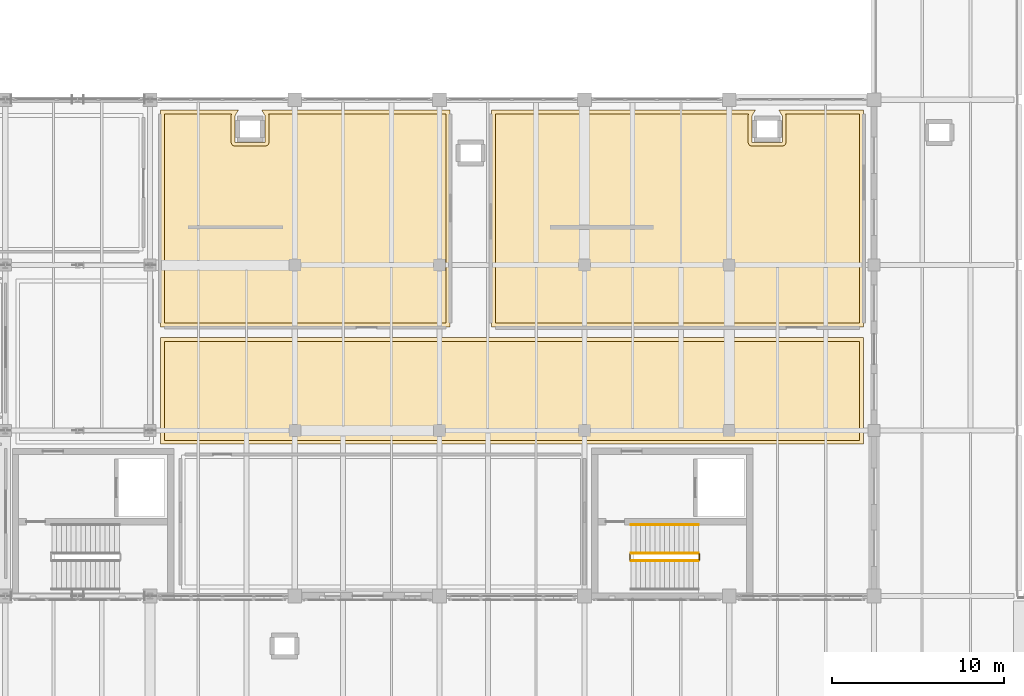
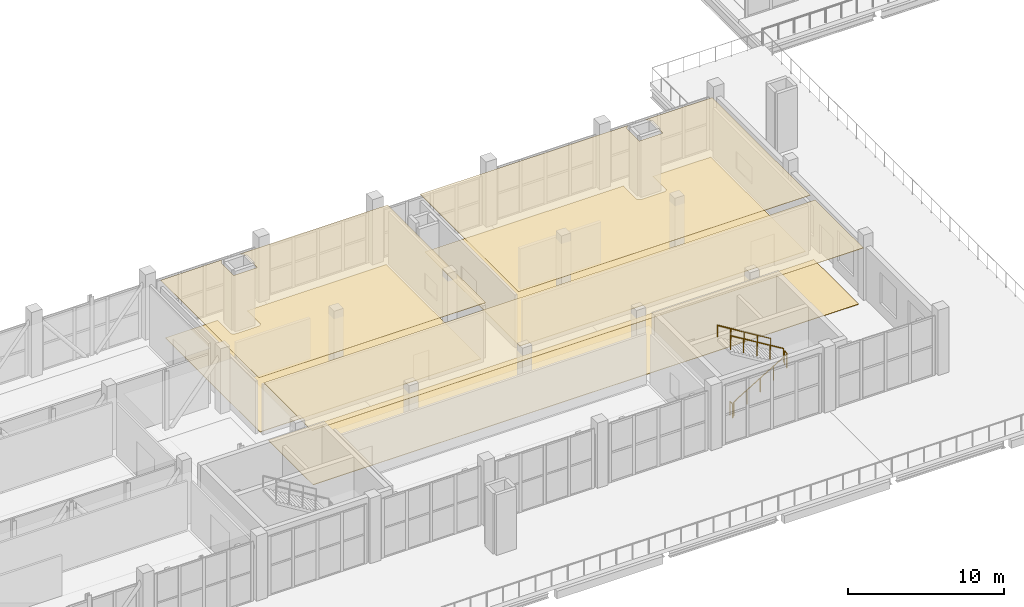
# One storey, part 71 of 77: 6 coverings, 5 railings.
"""IFC4 building model written with IfcOpenShell, lengths in metres."""

from ifc_helpers import new_model, si_unit, direction, frame, origin, origin_2d, place, context, subcontext, project, spatial, polyline, circle, outline, extrude, material, layer, layer_set, type_object, element, save


model = new_model("IFC4")

# Units and contexts
model_context = context("Model", 3, precision=1e-05, world=origin(), true_north=direction((0.0, 1.0)))
body_context = subcontext(model_context, "Body", "Model", "MODEL_VIEW")
ifc_project = project(units=[si_unit("LENGTHUNIT", "METRE"), si_unit("AREAUNIT", "SQUARE_METRE"), si_unit("VOLUMEUNIT", "CUBIC_METRE"), si_unit("PLANEANGLEUNIT", "RADIAN"), si_unit("MASSUNIT", "GRAM", prefix="KILO")], contexts=[model_context])

# Site, building, storey
site_placement = place(None, origin())
site = spatial("IfcSite", under=ifc_project, at=site_placement, CompositionType="ELEMENT")
building_placement = place(site_placement, origin())
building = spatial("IfcBuilding", under=site, at=building_placement, Name="Zulmaris Art Gallery", CompositionType="ELEMENT")
storey_placement = place(building_placement, frame((0.0, 0.0, 15.60009765625)))
storey = spatial("IfcBuildingStorey", under=building, at=storey_placement, Name="L03", CompositionType="ELEMENT", Elevation=15.60009765625)

# Coverings
ifc_material_1 = material(Name="Micro-Perforated Gypsum Acoustic Ceiling", Category="gypsum")
ifc_layer_1 = layer(ifc_material_1, 0.02490234375)
ifc_layer_set_1 = layer_set([ifc_layer_1], Name="Micro-Perforated Gypsum Acoustic Ceiling")
covering_type_1 = type_object("IfcCoveringType", Name="COV-CL01", PredefinedType="CEILING", material=ifc_layer_set_1)
covering_1_placement = place(storey_placement, frame((0.0, 0.0, 4.449951171875)))
element("IfcCovering", 1, at=covering_1_placement, inside=storey, type_object=covering_type_1, Name="L03 Cantilever Gallery Enfilade acoustic ceiling", PredefinedType="CEILING", context=body_context, shape_type="SweptSolid", body=[
    extrude(outline(polyline([(41.409912109375, 36.590087890625), (82.18994140625, 36.590087890625), (82.18994140625, 30.409912109375), (41.409912109375, 30.409912109375), (41.409912109375, 36.590087890625)])), origin(), (0.0, 0.0, 1.0), 0.030029296875),
])
covering_2_placement = place(storey_placement, frame((0.0, 0.0, 4.449951171875)))
element("IfcCovering", 2, at=covering_2_placement, inside=storey, type_object=covering_type_1, Name="Sculpture Terrace Foyer & Bar acoustic ceiling", PredefinedType="CEILING", context=body_context, shape_type="SweptSolid", body=[
    extrude(outline(polyline([(75.721435546875, 49.45849609375), (75.720703125, 49.455810546875), (75.720458984375, 49.452880859375), (75.719970703125, 49.444580078125), (75.719970703125, 47.955322265625), (75.720458984375, 47.947021484375), (75.720703125, 47.944091796875), (75.721435546875, 47.94140625), (75.722412109375, 47.938720703125), (75.723876953125, 47.93603515625), (75.725341796875, 47.93359375), (75.72705078125, 47.93115234375), (75.72900390625, 47.928955078125), (75.731201171875, 47.927001953125), (75.7333984375, 47.92529296875), (75.736083984375, 47.923828125), (75.738525390625, 47.922607421875), (75.741455078125, 47.92138671875), (75.744140625, 47.9208984375), (75.7470703125, 47.92041015625), (75.75537109375, 47.919921875), (77.444580078125, 47.919921875), (77.452880859375, 47.92041015625), (77.455810546875, 47.9208984375), (77.45849609375, 47.92138671875), (77.46142578125, 47.922607421875), (77.464111328125, 47.923828125), (77.466552734375, 47.92529296875), (77.468994140625, 47.927001953125), (77.470947265625, 47.928955078125), (77.472900390625, 47.93115234375), (77.474609375, 47.93359375), (77.476318359375, 47.93603515625), (77.4775390625, 47.938720703125), (77.478515625, 47.94140625), (77.479248046875, 47.944091796875), (77.4794921875, 47.947021484375), (77.47998046875, 47.955322265625), (77.47998046875, 49.444580078125), (77.4794921875, 49.452880859375), (77.479248046875, 49.455810546875), (77.478515625, 49.45849609375), (77.4775390625, 49.46142578125), (77.476318359375, 49.464111328125), (77.28076171875, 49.7900390625), (82.18994140625, 49.7900390625), (82.18994140625, 37.2099609375), (60.610107421875, 37.2099609375), (60.610107421875, 49.7900390625), (75.919189453125, 49.7900390625), (75.723876953125, 49.464111328125), (75.722412109375, 49.46142578125), (75.721435546875, 49.45849609375)])), origin(), (0.0, 0.0, 1.0), 0.030029296875),
])
ifc_material_2 = material(Name="Luminous UV-Diffusing Stretched Gallery Ceiling", Category="gypsum")
ifc_layer_2 = layer(ifc_material_2, 0.034912109375)
ifc_layer_set_2 = layer_set([ifc_layer_2], Name="Luminous UV-Diffusing Stretched Gallery Ceiling")
covering_type_2 = type_object("IfcCoveringType", Name="COV-CL02", PredefinedType="CEILING", material=ifc_layer_set_2)
covering_3_placement = place(storey_placement, frame((0.0, 0.0, 4.449951171875)))
element("IfcCovering", 3, at=covering_3_placement, inside=storey, type_object=covering_type_2, Name="International Loan Exhibition Gallery acoustic ceiling", PredefinedType="CEILING", context=body_context, shape_type="SweptSolid", body=[
    extrude(outline(polyline([(45.721435546875, 47.94140625), (45.722412109375, 47.938720703125), (45.723876953125, 47.93603515625), (45.725341796875, 47.93359375), (45.72705078125, 47.93115234375), (45.72900390625, 47.928955078125), (45.731201171875, 47.927001953125), (45.7333984375, 47.92529296875), (45.736083984375, 47.923828125), (45.738525390625, 47.922607421875), (45.741455078125, 47.92138671875), (45.744140625, 47.9208984375), (45.7470703125, 47.92041015625), (45.75537109375, 47.919921875), (47.444580078125, 47.919921875), (47.452880859375, 47.92041015625), (47.455810546875, 47.9208984375), (47.45849609375, 47.92138671875), (47.46142578125, 47.922607421875), (47.464111328125, 47.923828125), (47.466552734375, 47.92529296875), (47.468994140625, 47.927001953125), (47.470947265625, 47.928955078125), (47.472900390625, 47.93115234375), (47.474609375, 47.93359375), (47.476318359375, 47.93603515625), (47.4775390625, 47.938720703125), (47.478515625, 47.94140625), (47.479248046875, 47.944091796875), (47.4794921875, 47.947021484375), (47.47998046875, 47.955322265625), (47.47998046875, 49.444580078125), (47.4794921875, 49.452880859375), (47.479248046875, 49.455810546875), (47.478515625, 49.45849609375), (47.4775390625, 49.46142578125), (47.476318359375, 49.464111328125), (47.28076171875, 49.7900390625), (58.18994140625, 49.7900390625), (58.18994140625, 37.2099609375), (41.409912109375, 37.2099609375), (41.409912109375, 49.7900390625), (45.919189453125, 49.7900390625), (45.723876953125, 49.464111328125), (45.722412109375, 49.46142578125), (45.721435546875, 49.45849609375), (45.720703125, 49.455810546875), (45.720458984375, 49.452880859375), (45.719970703125, 49.444580078125), (45.719970703125, 47.955322265625), (45.720458984375, 47.947021484375), (45.720703125, 47.944091796875), (45.721435546875, 47.94140625)])), origin(), (0.0, 0.0, 1.0), 0.030029296875),
])
ifc_material_3 = material(Name="Honed Omani Limestone Terrazzo Flooring", Category="masonry")
ifc_layer_3 = layer(ifc_material_3, 0.0400390625)
ifc_layer_set_3 = layer_set([ifc_layer_3], Name="Honed Omani Limestone Terrazzo Flooring")
covering_type_3 = type_object("IfcCoveringType", Name="COV-FL01", PredefinedType="FLOORING", material=ifc_layer_set_3)
covering_4_placement = place(storey_placement, origin())
element("IfcCovering", 4, at=covering_4_placement, inside=storey, type_object=covering_type_3, Name="L03 Cantilever Gallery Enfilade finish flooring", PredefinedType="FLOORING", context=body_context, shape_type="SweptSolid", body=[
    extrude(outline(polyline([(81.969970703125, 30.6298828125), (41.6298828125, 30.6298828125), (41.6298828125, 36.3701171875), (81.969970703125, 36.3701171875), (81.969970703125, 30.6298828125)])), origin(), (0.0, 0.0, 1.0), 0.034912109375),
])
covering_5_placement = place(storey_placement, origin())
element("IfcCovering", 5, at=covering_5_placement, inside=storey, type_object=covering_type_3, Name="Sculpture Terrace Foyer & Bar finish flooring", PredefinedType="FLOORING", context=body_context, shape_type="SweptSolid", body=[
    extrude(outline(polyline([(75.529541015625, 49.56787109375), (75.51904296875, 49.545654296875), (75.5107421875, 49.522705078125), (75.5048828125, 49.498779296875), (75.501220703125, 49.474609375), (75.5, 49.449951171875), (75.5, 47.949951171875), (75.501220703125, 47.925537109375), (75.5048828125, 47.901123046875), (75.5107421875, 47.87744140625), (75.51904296875, 47.854248046875), (75.529541015625, 47.832275390625), (75.5419921875, 47.81103515625), (75.556640625, 47.79150390625), (75.5732421875, 47.773193359375), (75.59130859375, 47.756591796875), (75.611083984375, 47.7421875), (75.632080078125, 47.7294921875), (75.654296875, 47.718994140625), (75.677490234375, 47.710693359375), (75.701171875, 47.704833984375), (75.7255859375, 47.701171875), (75.75, 47.699951171875), (77.449951171875, 47.699951171875), (77.474609375, 47.701171875), (77.498779296875, 47.704833984375), (77.522705078125, 47.710693359375), (77.545654296875, 47.718994140625), (77.56787109375, 47.7294921875), (77.5888671875, 47.7421875), (77.608642578125, 47.756591796875), (77.626708984375, 47.773193359375), (77.643310546875, 47.79150390625), (77.657958984375, 47.81103515625), (77.67041015625, 47.832275390625), (77.680908203125, 47.854248046875), (77.689208984375, 47.87744140625), (77.6953125, 47.901123046875), (77.69873046875, 47.925537109375), (77.699951171875, 47.949951171875), (77.699951171875, 49.449951171875), (77.69873046875, 49.474609375), (77.6953125, 49.498779296875), (77.689208984375, 49.522705078125), (77.680908203125, 49.545654296875), (77.67041015625, 49.56787109375), (77.669189453125, 49.570068359375), (81.969970703125, 49.570068359375), (81.969970703125, 37.429931640625), (60.830078125, 37.429931640625), (60.830078125, 49.570068359375), (75.53076171875, 49.570068359375), (75.529541015625, 49.56787109375)])), origin(), (0.0, 0.0, 1.0), 0.034912109375),
])
ifc_material_4 = material(Name="Oiled European Oak Gallery Parquet Flooring", Category="timber")
ifc_layer_4 = layer(ifc_material_4, 0.030029296875)
ifc_layer_set_4 = layer_set([ifc_layer_4], Name="Oiled European Oak Gallery Parquet Flooring")
covering_type_4 = type_object("IfcCoveringType", Name="COV-FL02", PredefinedType="FLOORING", material=ifc_layer_set_4)
covering_6_placement = place(storey_placement, origin())
element("IfcCovering", 6, at=covering_6_placement, inside=storey, type_object=covering_type_4, Name="International Loan Exhibition Gallery finish flooring", PredefinedType="FLOORING", context=body_context, shape_type="SweptSolid", body=[
    extrude(outline(polyline([(45.501220703125, 47.925537109375), (45.5048828125, 47.901123046875), (45.5107421875, 47.87744140625), (45.51904296875, 47.854248046875), (45.529541015625, 47.832275390625), (45.5419921875, 47.81103515625), (45.556640625, 47.79150390625), (45.5732421875, 47.773193359375), (45.59130859375, 47.756591796875), (45.611083984375, 47.7421875), (45.632080078125, 47.7294921875), (45.654296875, 47.718994140625), (45.677490234375, 47.710693359375), (45.701171875, 47.704833984375), (45.7255859375, 47.701171875), (45.75, 47.699951171875), (47.449951171875, 47.699951171875), (47.474609375, 47.701171875), (47.498779296875, 47.704833984375), (47.522705078125, 47.710693359375), (47.545654296875, 47.718994140625), (47.56787109375, 47.7294921875), (47.5888671875, 47.7421875), (47.608642578125, 47.756591796875), (47.626708984375, 47.773193359375), (47.643310546875, 47.79150390625), (47.657958984375, 47.81103515625), (47.67041015625, 47.832275390625), (47.680908203125, 47.854248046875), (47.689208984375, 47.87744140625), (47.6953125, 47.901123046875), (47.69873046875, 47.925537109375), (47.699951171875, 47.949951171875), (47.699951171875, 49.449951171875), (47.69873046875, 49.474609375), (47.6953125, 49.498779296875), (47.689208984375, 49.522705078125), (47.680908203125, 49.545654296875), (47.67041015625, 49.56787109375), (47.669189453125, 49.570068359375), (57.969970703125, 49.570068359375), (57.969970703125, 37.429931640625), (41.6298828125, 37.429931640625), (41.6298828125, 49.570068359375), (45.53076171875, 49.570068359375), (45.529541015625, 49.56787109375), (45.51904296875, 49.545654296875), (45.5107421875, 49.522705078125), (45.5048828125, 49.498779296875), (45.501220703125, 49.474609375), (45.5, 49.449951171875), (45.5, 47.949951171875), (45.501220703125, 47.925537109375)])), origin(), (0.0, 0.0, 1.0), 0.034912109375),
])

# Railings
ifc_material_5 = material(Name="Steel S355J2", Category="steel")
ifc_layer_5 = layer(ifc_material_5, 0.050048828125)
ifc_layer_set_5 = layer_set([ifc_layer_5], Name="Steel S355J2")
railing_type_1 = type_object("IfcRailingType", Name="RAIL-STGRD", PredefinedType="GUARDRAIL", material=ifc_layer_set_5)
railing_1_placement = place(storey_placement, frame((68.699951171875, 23.64990234375, 0.169921875)))
element("IfcRailing", 7, at=railing_1_placement, inside=storey, type_object=railing_type_1, Name="L03 ST2 stair guard 1", PredefinedType="GUARDRAIL", context=body_context, shape_type="SweptSolid", body=[
    extrude(circle(Radius=0.02392578125, at=origin_2d()), frame((0.0, 0.0, 1.076171875), z_axis=(0.854808600491, 0.0, 0.518943403973), x_axis=(0.0, 1.0, 0.0)), (0.0, 0.0, 1.0), 4.5859375),
    extrude(circle(Radius=0.02099609375, at=origin_2d()), origin(), (0.0, 0.0, 1.0), 1.052001953125),
    extrude(circle(Radius=0.02099609375, at=origin_2d()), frame((0.97998046875, 0.0, 0.594970703125)), (0.0, 0.0, 1.0), 1.052001953125),
    extrude(circle(Radius=0.02099609375, at=origin_2d()), frame((1.9599609375, 0.0, 1.18994140625)), (0.0, 0.0, 1.0), 1.052001953125),
    extrude(circle(Radius=0.02099609375, at=origin_2d()), frame((2.940185546875, 0.0, 1.784912109375)), (0.0, 0.0, 1.0), 1.052001953125),
    extrude(circle(Radius=0.02099609375, at=origin_2d()), frame((3.920166015625, 0.0, 2.3798828125)), (0.0, 0.0, 1.0), 1.052001953125),
])
railing_2_placement = place(storey_placement, frame((72.669921875, 23.699951171875, 2.5498046875)))
element("IfcRailing", 8, at=railing_2_placement, inside=storey, type_object=railing_type_1, Name="L03 ST2 stair guard 2", PredefinedType="GUARDRAIL", context=body_context, shape_type="SweptSolid", body=[
    extrude(circle(Radius=0.02392578125, at=origin_2d()), frame((0.0, 0.0, 1.076171875), z_axis=(0.0, 1.0, 0.0), x_axis=(-1.0, 0.0, 0.0)), (0.0, 0.0, 1.0), 0.340087890625),
    extrude(circle(Radius=0.02099609375, at=origin_2d()), origin(), (0.0, 0.0, 1.0), 1.052001953125),
    extrude(circle(Radius=0.02099609375, at=origin_2d()), frame((0.0, 0.340087890625, 0.0)), (0.0, 0.0, 1.0), 1.052001953125),
])
railing_3_placement = place(storey_placement, frame((72.6201171875, 24.090087890625, 2.719970703125)))
element("IfcRailing", 9, at=railing_3_placement, inside=storey, type_object=railing_type_1, Name="L03 ST2 stair guard 3", PredefinedType="GUARDRAIL", context=body_context, shape_type="SweptSolid", body=[
    extrude(circle(Radius=0.02392578125, at=origin_2d()), frame((0.0, 0.0, 1.076171875), z_axis=(-0.854808600491, 0.0, 0.518943403973), x_axis=(0.0, -1.0, 0.0)), (0.0, 0.0, 1.0), 4.5859375),
    extrude(circle(Radius=0.02099609375, at=origin_2d()), origin(), (0.0, 0.0, 1.0), 1.052001953125),
    extrude(circle(Radius=0.02099609375, at=origin_2d()), frame((-0.97998046875, 0.0, 0.594970703125)), (0.0, 0.0, 1.0), 1.052001953125),
    extrude(circle(Radius=0.02099609375, at=origin_2d()), frame((-1.9599609375, 0.0, 1.18994140625)), (0.0, 0.0, 1.0), 1.052001953125),
    extrude(circle(Radius=0.02099609375, at=origin_2d()), frame((-2.940185546875, 0.0, 1.784912109375)), (0.0, 0.0, 1.0), 1.052001953125),
    extrude(circle(Radius=0.02099609375, at=origin_2d()), frame((-3.920166015625, 0.0, 2.3798828125)), (0.0, 0.0, 1.0), 1.052001953125),
])
railing_4_placement = place(storey_placement, frame((68.64990234375, 23.699951171875, 0.0)))
element("IfcRailing", 10, at=railing_4_placement, inside=storey, type_object=railing_type_1, Name="L03 ST2 stair guard 4", PredefinedType="GUARDRAIL", context=body_context, shape_type="SweptSolid", body=[
    extrude(circle(Radius=0.02392578125, at=origin_2d()), frame((0.0, 0.0, 1.076171875), z_axis=(0.0, 1.0, 0.0), x_axis=(-1.0, 0.0, 0.0)), (0.0, 0.0, 1.0), 0.340087890625),
    extrude(circle(Radius=0.02099609375, at=origin_2d()), origin(), (0.0, 0.0, 1.0), 1.052001953125),
    extrude(circle(Radius=0.02099609375, at=origin_2d()), frame((0.0, 0.340087890625, 0.0)), (0.0, 0.0, 1.0), 1.052001953125),
])
ifc_material_6 = material(Name="Brushed Bronze Handrail", Category="steel")
ifc_layer_6 = layer(ifc_material_6, 0.048095703125)
ifc_layer_set_6 = layer_set([ifc_layer_6], Name="Brushed Bronze Handrail")
railing_type_2 = type_object("IfcRailingType", Name="RAIL-STHND", PredefinedType="HANDRAIL", material=ifc_layer_set_6)
railing_5_placement = place(storey_placement, frame((72.6201171875, 25.739990234375, 2.719970703125)))
element("IfcRailing", 11, at=railing_5_placement, inside=storey, type_object=railing_type_2, Name="L03 ST2 stair handrail 2", PredefinedType="HANDRAIL", context=body_context, shape_type="SweptSolid", body=[
    extrude(circle(Radius=0.02392578125, at=origin_2d()), frame((0.0, 0.0, 0.8759765625), z_axis=(-0.854808600491, 0.0, 0.518943403973), x_axis=(0.0, -1.0, 0.0)), (0.0, 0.0, 1.0), 4.5859375),
    extrude(circle(Radius=0.02099609375, at=origin_2d()), origin(), (0.0, 0.0, 1.0), 0.851806640625),
    extrude(circle(Radius=0.02099609375, at=origin_2d()), frame((-0.97998046875, 0.0, 0.594970703125)), (0.0, 0.0, 1.0), 0.851806640625),
    extrude(circle(Radius=0.02099609375, at=origin_2d()), frame((-1.9599609375, 0.0, 1.18994140625)), (0.0, 0.0, 1.0), 0.851806640625),
    extrude(circle(Radius=0.02099609375, at=origin_2d()), frame((-2.940185546875, 0.0, 1.784912109375)), (0.0, 0.0, 1.0), 0.851806640625),
    extrude(circle(Radius=0.02099609375, at=origin_2d()), frame((-3.920166015625, 0.0, 2.3798828125)), (0.0, 0.0, 1.0), 0.851806640625),
])

save(model, "model.ifc")
